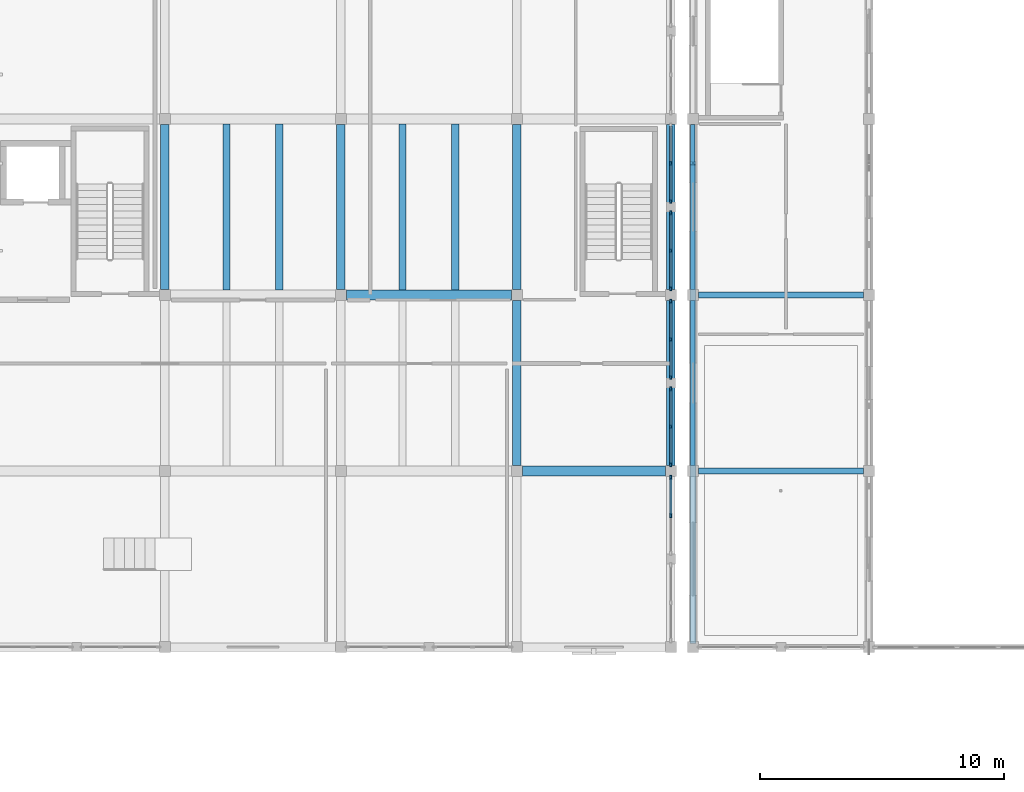
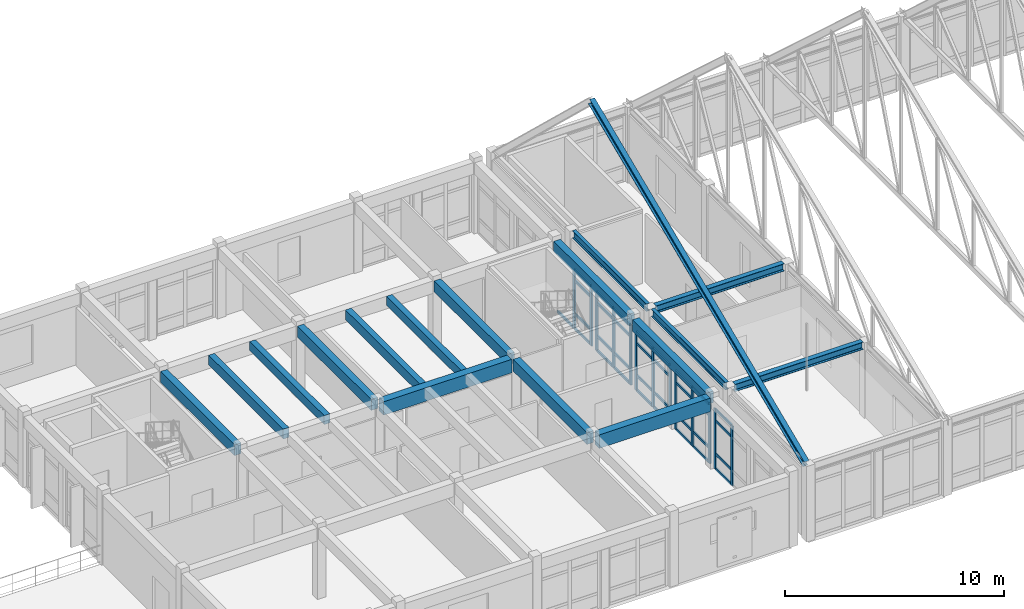
# One storey, part 16 of 136: 47 members, 16 beams, 5 elements without a shape of their own.
"""IFC4 building model written with IfcOpenShell, lengths in metres."""

from ifc_helpers import new_model, si_unit, direction, frame, origin, origin_2d, place, context, subcontext, project, spatial, rectangle, i_section, extrude, material, layer, layer_set, material_profile, profile_set, type_object, element, aggregate, save


model = new_model("IFC4")

# Units and contexts
model_context = context("Model", 3, precision=1e-05, world=origin(), true_north=direction((0.0, 1.0)))
body_context = subcontext(model_context, "Body", "Model", "MODEL_VIEW")
ifc_project = project(units=[si_unit("LENGTHUNIT", "METRE"), si_unit("AREAUNIT", "SQUARE_METRE"), si_unit("VOLUMEUNIT", "CUBIC_METRE"), si_unit("PLANEANGLEUNIT", "RADIAN"), si_unit("MASSUNIT", "GRAM", prefix="KILO")], contexts=[model_context])

# Site, building, storey
site_placement = place(None, origin())
site = spatial("IfcSite", under=ifc_project, at=site_placement, CompositionType="ELEMENT")
building_placement = place(site_placement, origin())
building = spatial("IfcBuilding", under=site, at=building_placement, Name="Koriwan Promenade Central Fire Station", CompositionType="ELEMENT")
storey_placement = place(building_placement, frame((0.0, 0.0, 5.39990234375)))
storey = spatial("IfcBuildingStorey", under=building, at=storey_placement, Name="L01", CompositionType="ELEMENT", Elevation=5.39990234375)

# Beams
ifc_material_1 = material(Name="Concrete C35/45", Category="concrete")
ifc_material_profile_1 = material_profile(ifc_material_1, rectangle(XDim=0.300048828125, YDim=0.5, at=origin_2d()), Name="RC-BM-300x500")
ifc_profile_set_1 = profile_set([ifc_material_profile_1], Name="Concrete C35/45")
beam_type_1 = type_object("IfcBeamType", Name="Beam_RC-BM-300x500", PredefinedType="JOIST", material=ifc_profile_set_1)
for number, where, z_axis, x_axis, name in (
    (1, (40.679931640625, 57.800048828125, 3.7001953125), (0.0, 1.0, 0.0), (-1.0, 0.0, 0.0), "V4 L01 secondary joist 457"),
    (2, (47.8798828125, 57.800048828125, 3.7001953125), (0.0, 1.0, 0.0), (-1.0, 0.0, 0.0), "V4 L01 secondary joist 459"),
):
    element("IfcBeam", number, at=place(storey_placement, frame(where, z_axis=z_axis, x_axis=x_axis)), inside=storey, type_object=beam_type_1, Name=name, PredefinedType="JOIST", context=body_context, shape_type="SweptSolid", body=[
        extrude(rectangle(XDim=0.300048828125, YDim=0.5, at=origin_2d()), origin(), (0.0, 0.0, 1.0), 6.800048828125),
    ])
ifc_material_profile_2 = material_profile(ifc_material_1, rectangle(XDim=0.300048828125, YDim=0.550048828125, at=origin_2d()), Name="RC-BM-300x550")
ifc_profile_set_2 = profile_set([ifc_material_profile_2], Name="Concrete C35/45")
beam_type_2 = type_object("IfcBeamType", Name="Beam_RC-BM-300x550", PredefinedType="JOIST", material=ifc_profile_set_2)
for number, where, z_axis, x_axis, name in (
    (3, (38.52001953125, 57.800048828125, 3.675048828125), (0.0, 1.0, 0.0), (-1.0, 0.0, 0.0), "V4 L01 secondary joist 456"),
    (4, (45.719970703125, 57.800048828125, 3.675048828125), (0.0, 1.0, 0.0), (-1.0, 0.0, 0.0), "V4 L01 secondary joist 458"),
):
    element("IfcBeam", number, at=place(storey_placement, frame(where, z_axis=z_axis, x_axis=x_axis)), inside=storey, type_object=beam_type_2, Name=name, PredefinedType="JOIST", context=body_context, shape_type="SweptSolid", body=[
        extrude(rectangle(XDim=0.300048828125, YDim=0.550048828125, at=origin_2d()), origin(), (0.0, 0.0, 1.0), 6.800048828125),
    ])
ifc_material_profile_3 = material_profile(ifc_material_1, rectangle(XDim=0.35009765625, YDim=0.60009765625, at=origin_2d()), Name="RC-BM-350x600")
ifc_profile_set_3 = profile_set([ifc_material_profile_3], Name="Concrete C35/45")
beam_type_3 = type_object("IfcBeamType", Name="Beam_RC-BM-350x600", PredefinedType="BEAM", material=ifc_profile_set_3)
for number, where, z_axis, x_axis, name in (
    (5, (36.0, 57.824951171875, 3.650146484375), (0.0, 1.0, 0.0), (-1.0, 0.0, 0.0), "V4 L01 girder Y-438"),
    (6, (43.199951171875, 57.824951171875, 3.650146484375), (0.0, 1.0, 0.0), (-1.0, 0.0, 0.0), "V4 L01 girder Y-442"),
    (7, (50.39990234375, 57.824951171875, 3.650146484375), (0.0, 1.0, 0.0), (-1.0, 0.0, 0.0), "V4 L01 girder Y-446"),
    (8, (56.699951171875, 57.824951171875, 3.650146484375), (0.0, 1.0, 0.0), (-1.0, 0.0, 0.0), "V4 L01 girder Y-450"),
):
    element("IfcBeam", number, at=place(storey_placement, frame(where, z_axis=z_axis, x_axis=x_axis)), inside=storey, type_object=beam_type_3, Name=name, PredefinedType="BEAM", context=body_context, shape_type="SweptSolid", body=[
        extrude(rectangle(XDim=0.35009765625, YDim=0.60009765625, at=origin_2d()), origin(), (0.0, 0.0, 1.0), 6.75),
    ])
ifc_material_profile_4 = material_profile(ifc_material_1, rectangle(XDim=0.35009765625, YDim=0.64990234375, at=origin_2d()), Name="RC-BM-350x650")
ifc_profile_set_4 = profile_set([ifc_material_profile_4], Name="Concrete C35/45")
beam_type_4 = type_object("IfcBeamType", Name="Beam_RC-BM-350x650", PredefinedType="BEAM", material=ifc_profile_set_4)
for number, where, z_axis, x_axis, name in (
    (9, (50.39990234375, 50.625, 3.625), (0.0, 1.0, 0.0), (-1.0, 0.0, 0.0), "V4 L01 girder Y-445"),
    (10, (56.699951171875, 50.625, 3.625), (0.0, 1.0, 0.0), (-1.0, 0.0, 0.0), "V4 L01 girder Y-449"),
):
    element("IfcBeam", number, at=place(storey_placement, frame(where, z_axis=z_axis, x_axis=x_axis)), inside=storey, type_object=beam_type_4, Name=name, PredefinedType="BEAM", context=body_context, shape_type="SweptSolid", body=[
        extrude(rectangle(XDim=0.35009765625, YDim=0.64990234375, at=origin_2d()), origin(), (0.0, 0.0, 1.0), 6.75),
    ])
ifc_material_profile_5 = material_profile(ifc_material_1, rectangle(XDim=0.39990234375, YDim=0.75, at=origin_2d()), Name="RC-BM-400x750")
ifc_profile_set_5 = profile_set([ifc_material_profile_5], Name="Concrete C35/45")
beam_type_5 = type_object("IfcBeamType", Name="Beam_RC-BM-400x750", PredefinedType="BEAM", material=ifc_profile_set_5)
beam_1_placement = place(storey_placement, frame((50.625, 50.39990234375, 3.5751953125), z_axis=(1.0, 0.0, 0.0), x_axis=(0.0, 1.0, 0.0)))
element("IfcBeam", 11, at=beam_1_placement, inside=storey, type_object=beam_type_5, Name="V4 L01 girder X-421", PredefinedType="BEAM", context=body_context, shape_type="SweptSolid", body=[
    extrude(rectangle(XDim=0.39990234375, YDim=0.75, at=origin_2d()), origin(), (0.0, 0.0, 1.0), 5.85009765625),
])
beam_2_placement = place(storey_placement, frame((43.425048828125, 57.60009765625, 3.5751953125), z_axis=(1.0, 0.0, 0.0), x_axis=(0.0, 1.0, 0.0)))
element("IfcBeam", 12, at=beam_2_placement, inside=storey, type_object=beam_type_5, Name="V4 L01 girder X-423", PredefinedType="BEAM", context=body_context, shape_type="SweptSolid", body=[
    extrude(rectangle(XDim=0.39990234375, YDim=0.75, at=origin_2d()), origin(), (0.0, 0.0, 1.0), 6.75),
])

# Curtain wall, members
ifc_material_2 = material(Name="Aluminium EN AW-6063-T6 and low-E glazing", Category="aluminium")
ifc_layer_1 = layer(ifc_material_2, 0.159912109375, Name="Aluminium EN AW-6063-T6 and low-E glazing")
ifc_layer_set_1 = layer_set([ifc_layer_1], Name="Aluminium EN AW-6063-T6 and low-E glazing")
curtain_wall_type_1 = type_object("IfcCurtainWallType", Name="CurtainWall_45_317x334", PredefinedType="USERDEFINED", material=ifc_layer_set_1)
curtain_wall_1_placement = place(storey_placement, origin())
curtain_wall_1 = element("IfcCurtainWall", 13, at=curtain_wall_1_placement, inside=storey, type_object=curtain_wall_type_1, Name="V4 L01 unitised curtain wall 110", ObjectType="UNITISED CURTAIN WALL", PredefinedType="USERDEFINED")
ifc_material_3 = material(Name="Aluminium EN AW-6063-T6", Category="aluminium")
ifc_material_profile_6 = material_profile(ifc_material_3, rectangle(XDim=0.074951171875, YDim=0.179931640625, at=origin_2d()), Name="ALU-MUL-75x180")
ifc_profile_set_6 = profile_set([ifc_material_profile_6], Name="Aluminium EN AW-6063-T6")
member_type_1 = type_object("IfcMemberType", Name="CWMullion_ALU-MUL-75x180", PredefinedType="MULLION", material=ifc_profile_set_6)
member_1_placement = place(storey_placement, frame((56.699951171875, 48.58740234375, 0.0), z_axis=(0.0, 0.0, 1.0), x_axis=(-1.0, 0.0, 0.0)))
member_1 = element("IfcMember", 14, at=member_1_placement, type_object=member_type_1, Name="CW-45 mullion 2", PredefinedType="MULLION", context=body_context, shape_type="SweptSolid", body=[
    extrude(rectangle(XDim=0.074951171875, YDim=0.179931640625, at=origin_2d()), origin(), (0.0, 0.0, 1.0), 3.340087890625),
])
member_2_placement = place(storey_placement, frame((56.699951171875, 50.137451171875, 0.0), z_axis=(0.0, 0.0, 1.0), x_axis=(-1.0, 0.0, 0.0)))
member_2 = element("IfcMember", 15, at=member_2_placement, type_object=member_type_1, Name="CW-45 mullion 3", PredefinedType="MULLION", context=body_context, shape_type="SweptSolid", body=[
    extrude(rectangle(XDim=0.074951171875, YDim=0.179931640625, at=origin_2d()), origin(), (0.0, 0.0, 1.0), 3.340087890625),
])

ifc_layer_2 = layer(ifc_material_2, 0.159912109375, Name="Aluminium EN AW-6063-T6 and low-E glazing")
ifc_layer_set_2 = layer_set([ifc_layer_2], Name="Aluminium EN AW-6063-T6 and low-E glazing")
curtain_wall_type_2 = type_object("IfcCurtainWallType", Name="CurtainWall_46_317x329", PredefinedType="USERDEFINED", material=ifc_layer_set_2)
curtain_wall_2_placement = place(storey_placement, origin())
curtain_wall_2 = element("IfcCurtainWall", 16, at=curtain_wall_2_placement, inside=storey, type_object=curtain_wall_type_2, Name="V4 L01 unitised curtain wall 111", ObjectType="UNITISED CURTAIN WALL", PredefinedType="USERDEFINED")
member_3_placement = place(storey_placement, frame((56.699951171875, 50.66259765625, 0.0), z_axis=(0.0, 0.0, 1.0), x_axis=(-1.0, 0.0, 0.0)))
member_3 = element("IfcMember", 17, at=member_3_placement, type_object=member_type_1, Name="CW-46 mullion 1", PredefinedType="MULLION", context=body_context, shape_type="SweptSolid", body=[
    extrude(rectangle(XDim=0.074951171875, YDim=0.179931640625, at=origin_2d()), origin(), (0.0, 0.0, 1.0), 3.2900390625),
])
member_4_placement = place(storey_placement, frame((56.699951171875, 52.21240234375, 0.0), z_axis=(0.0, 0.0, 1.0), x_axis=(-1.0, 0.0, 0.0)))
member_4 = element("IfcMember", 18, at=member_4_placement, type_object=member_type_1, Name="CW-46 mullion 2", PredefinedType="MULLION", context=body_context, shape_type="SweptSolid", body=[
    extrude(rectangle(XDim=0.074951171875, YDim=0.179931640625, at=origin_2d()), origin(), (0.0, 0.0, 1.0), 3.2900390625),
])
member_5_placement = place(storey_placement, frame((56.699951171875, 53.762451171875, 0.0), z_axis=(0.0, 0.0, 1.0), x_axis=(-1.0, 0.0, 0.0)))
member_5 = element("IfcMember", 19, at=member_5_placement, type_object=member_type_1, Name="CW-46 mullion 3", PredefinedType="MULLION", context=body_context, shape_type="SweptSolid", body=[
    extrude(rectangle(XDim=0.074951171875, YDim=0.179931640625, at=origin_2d()), origin(), (0.0, 0.0, 1.0), 3.2900390625),
])

curtain_wall_3_placement = place(storey_placement, origin())
curtain_wall_3 = element("IfcCurtainWall", 20, at=curtain_wall_3_placement, inside=storey, type_object=curtain_wall_type_2, Name="V4 L01 unitised curtain wall 112", ObjectType="UNITISED CURTAIN WALL", PredefinedType="USERDEFINED")
member_6_placement = place(storey_placement, frame((56.699951171875, 54.237548828125, 0.0), z_axis=(0.0, 0.0, 1.0), x_axis=(-1.0, 0.0, 0.0)))
member_6 = element("IfcMember", 21, at=member_6_placement, type_object=member_type_1, Name="CW-46 mullion 1", PredefinedType="MULLION", context=body_context, shape_type="SweptSolid", body=[
    extrude(rectangle(XDim=0.074951171875, YDim=0.179931640625, at=origin_2d()), origin(), (0.0, 0.0, 1.0), 3.2900390625),
])
member_7_placement = place(storey_placement, frame((56.699951171875, 55.78759765625, 0.0), z_axis=(0.0, 0.0, 1.0), x_axis=(-1.0, 0.0, 0.0)))
member_7 = element("IfcMember", 22, at=member_7_placement, type_object=member_type_1, Name="CW-46 mullion 2", PredefinedType="MULLION", context=body_context, shape_type="SweptSolid", body=[
    extrude(rectangle(XDim=0.074951171875, YDim=0.179931640625, at=origin_2d()), origin(), (0.0, 0.0, 1.0), 3.2900390625),
])
member_8_placement = place(storey_placement, frame((56.699951171875, 57.33740234375, 0.0), z_axis=(0.0, 0.0, 1.0), x_axis=(-1.0, 0.0, 0.0)))
member_8 = element("IfcMember", 23, at=member_8_placement, type_object=member_type_1, Name="CW-46 mullion 3", PredefinedType="MULLION", context=body_context, shape_type="SweptSolid", body=[
    extrude(rectangle(XDim=0.074951171875, YDim=0.179931640625, at=origin_2d()), origin(), (0.0, 0.0, 1.0), 3.2900390625),
])

curtain_wall_4_placement = place(storey_placement, origin())
curtain_wall_4 = element("IfcCurtainWall", 24, at=curtain_wall_4_placement, inside=storey, type_object=curtain_wall_type_1, Name="V4 L01 unitised curtain wall 113", ObjectType="UNITISED CURTAIN WALL", PredefinedType="USERDEFINED")
member_9_placement = place(storey_placement, frame((56.699951171875, 57.862548828125, 0.0), z_axis=(0.0, 0.0, 1.0), x_axis=(-1.0, 0.0, 0.0)))
member_9 = element("IfcMember", 25, at=member_9_placement, type_object=member_type_1, Name="CW-45 mullion 1", PredefinedType="MULLION", context=body_context, shape_type="SweptSolid", body=[
    extrude(rectangle(XDim=0.074951171875, YDim=0.179931640625, at=origin_2d()), origin(), (0.0, 0.0, 1.0), 3.340087890625),
])
member_10_placement = place(storey_placement, frame((56.699951171875, 59.41259765625, 0.0), z_axis=(0.0, 0.0, 1.0), x_axis=(-1.0, 0.0, 0.0)))
member_10 = element("IfcMember", 26, at=member_10_placement, type_object=member_type_1, Name="CW-45 mullion 2", PredefinedType="MULLION", context=body_context, shape_type="SweptSolid", body=[
    extrude(rectangle(XDim=0.074951171875, YDim=0.179931640625, at=origin_2d()), origin(), (0.0, 0.0, 1.0), 3.340087890625),
])
member_11_placement = place(storey_placement, frame((56.699951171875, 60.96240234375, 0.0), z_axis=(0.0, 0.0, 1.0), x_axis=(-1.0, 0.0, 0.0)))
member_11 = element("IfcMember", 27, at=member_11_placement, type_object=member_type_1, Name="CW-45 mullion 3", PredefinedType="MULLION", context=body_context, shape_type="SweptSolid", body=[
    extrude(rectangle(XDim=0.074951171875, YDim=0.179931640625, at=origin_2d()), origin(), (0.0, 0.0, 1.0), 3.340087890625),
])

ifc_layer_3 = layer(ifc_material_2, 0.159912109375, Name="Aluminium EN AW-6063-T6 and low-E glazing")
ifc_layer_set_3 = layer_set([ifc_layer_3], Name="Aluminium EN AW-6063-T6 and low-E glazing")
curtain_wall_type_3 = type_object("IfcCurtainWallType", Name="CurtainWall_44_318x334", PredefinedType="USERDEFINED", material=ifc_layer_set_3)
curtain_wall_5_placement = place(storey_placement, origin())
curtain_wall_5 = element("IfcCurtainWall", 28, at=curtain_wall_5_placement, inside=storey, type_object=curtain_wall_type_3, Name="V4 L01 unitised curtain wall 114", ObjectType="UNITISED CURTAIN WALL", PredefinedType="USERDEFINED")
member_12_placement = place(storey_placement, frame((56.699951171875, 61.4375, 0.0), z_axis=(0.0, 0.0, 1.0), x_axis=(-1.0, 0.0, 0.0)))
member_12 = element("IfcMember", 29, at=member_12_placement, type_object=member_type_1, Name="CW-44 mullion 1", PredefinedType="MULLION", context=body_context, shape_type="SweptSolid", body=[
    extrude(rectangle(XDim=0.074951171875, YDim=0.179931640625, at=origin_2d()), origin(), (0.0, 0.0, 1.0), 3.340087890625),
])
member_13_placement = place(storey_placement, frame((56.699951171875, 62.987548828125, 0.0), z_axis=(0.0, 0.0, 1.0), x_axis=(-1.0, 0.0, 0.0)))
member_13 = element("IfcMember", 30, at=member_13_placement, type_object=member_type_1, Name="CW-44 mullion 2", PredefinedType="MULLION", context=body_context, shape_type="SweptSolid", body=[
    extrude(rectangle(XDim=0.074951171875, YDim=0.179931640625, at=origin_2d()), origin(), (0.0, 0.0, 1.0), 3.340087890625),
])

# Member
ifc_material_profile_7 = material_profile(ifc_material_3, rectangle(XDim=0.074951171875, YDim=0.139892578125, at=origin_2d()), Name="ALU-TRN-75x140")
ifc_profile_set_7 = profile_set([ifc_material_profile_7], Name="Aluminium EN AW-6063-T6")
member_type_2 = type_object("IfcMemberType", Name="CWTransom_ALU-TRN-75x140", PredefinedType="USERDEFINED", material=ifc_profile_set_7)
member_14_placement = place(storey_placement, frame((56.699951171875, 48.625, 0.03759765625), z_axis=(0.0, 1.0, 0.0), x_axis=(-1.0, 0.0, 0.0)))
member_14 = element("IfcMember", 31, at=member_14_placement, type_object=member_type_2, Name="CW-45 transom 2.1", ObjectType="TRANSOM", PredefinedType="USERDEFINED", context=body_context, shape_type="SweptSolid", body=[
    extrude(rectangle(XDim=0.074951171875, YDim=0.139892578125, at=origin_2d()), origin(), (0.0, 0.0, 1.0), 1.47509765625),
])

member_15_placement = place(storey_placement, frame((56.699951171875, 48.625, 0.85009765625), z_axis=(0.0, 1.0, 0.0), x_axis=(-1.0, 0.0, 0.0)))
member_15 = element("IfcMember", 32, at=member_15_placement, type_object=member_type_2, Name="CW-45 transom 2.2", ObjectType="TRANSOM", PredefinedType="USERDEFINED", context=body_context, shape_type="SweptSolid", body=[
    extrude(rectangle(XDim=0.074951171875, YDim=0.139892578125, at=origin_2d()), origin(), (0.0, 0.0, 1.0), 1.47509765625),
])

member_16_placement = place(storey_placement, frame((56.699951171875, 48.625, 2.690185546875), z_axis=(0.0, 1.0, 0.0), x_axis=(-1.0, 0.0, 0.0)))
member_16 = element("IfcMember", 33, at=member_16_placement, type_object=member_type_2, Name="CW-45 transom 2.3", ObjectType="TRANSOM", PredefinedType="USERDEFINED", context=body_context, shape_type="SweptSolid", body=[
    extrude(rectangle(XDim=0.074951171875, YDim=0.139892578125, at=origin_2d()), origin(), (0.0, 0.0, 1.0), 1.47509765625),
])

member_17_placement = place(storey_placement, frame((56.699951171875, 48.625, 3.302490234375), z_axis=(0.0, 1.0, 0.0), x_axis=(-1.0, 0.0, 0.0)))
member_17 = element("IfcMember", 34, at=member_17_placement, type_object=member_type_2, Name="CW-45 transom 2.4", ObjectType="TRANSOM", PredefinedType="USERDEFINED", context=body_context, shape_type="SweptSolid", body=[
    extrude(rectangle(XDim=0.074951171875, YDim=0.139892578125, at=origin_2d()), origin(), (0.0, 0.0, 1.0), 1.47509765625),
])

aggregate(curtain_wall_1, [member_1, member_2, member_14, member_15, member_16, member_17])

member_18_placement = place(storey_placement, frame((56.699951171875, 50.699951171875, 0.03759765625), z_axis=(0.0, 1.0, 0.0), x_axis=(-1.0, 0.0, 0.0)))
member_18 = element("IfcMember", 35, at=member_18_placement, type_object=member_type_2, Name="CW-46 transom 1.1", ObjectType="TRANSOM", PredefinedType="USERDEFINED", context=body_context, shape_type="SweptSolid", body=[
    extrude(rectangle(XDim=0.074951171875, YDim=0.139892578125, at=origin_2d()), origin(), (0.0, 0.0, 1.0), 1.47509765625),
])

member_19_placement = place(storey_placement, frame((56.699951171875, 50.699951171875, 0.85009765625), z_axis=(0.0, 1.0, 0.0), x_axis=(-1.0, 0.0, 0.0)))
member_19 = element("IfcMember", 36, at=member_19_placement, type_object=member_type_2, Name="CW-46 transom 1.2", ObjectType="TRANSOM", PredefinedType="USERDEFINED", context=body_context, shape_type="SweptSolid", body=[
    extrude(rectangle(XDim=0.074951171875, YDim=0.139892578125, at=origin_2d()), origin(), (0.0, 0.0, 1.0), 1.47509765625),
])

member_20_placement = place(storey_placement, frame((56.699951171875, 50.699951171875, 2.64013671875), z_axis=(0.0, 1.0, 0.0), x_axis=(-1.0, 0.0, 0.0)))
member_20 = element("IfcMember", 37, at=member_20_placement, type_object=member_type_2, Name="CW-46 transom 1.3", ObjectType="TRANSOM", PredefinedType="USERDEFINED", context=body_context, shape_type="SweptSolid", body=[
    extrude(rectangle(XDim=0.074951171875, YDim=0.139892578125, at=origin_2d()), origin(), (0.0, 0.0, 1.0), 1.47509765625),
])

member_21_placement = place(storey_placement, frame((56.699951171875, 50.699951171875, 3.252685546875), z_axis=(0.0, 1.0, 0.0), x_axis=(-1.0, 0.0, 0.0)))
member_21 = element("IfcMember", 38, at=member_21_placement, type_object=member_type_2, Name="CW-46 transom 1.4", ObjectType="TRANSOM", PredefinedType="USERDEFINED", context=body_context, shape_type="SweptSolid", body=[
    extrude(rectangle(XDim=0.074951171875, YDim=0.139892578125, at=origin_2d()), origin(), (0.0, 0.0, 1.0), 1.47509765625),
])

member_22_placement = place(storey_placement, frame((56.699951171875, 52.25, 0.03759765625), z_axis=(0.0, 1.0, 0.0), x_axis=(-1.0, 0.0, 0.0)))
member_22 = element("IfcMember", 39, at=member_22_placement, type_object=member_type_2, Name="CW-46 transom 2.1", ObjectType="TRANSOM", PredefinedType="USERDEFINED", context=body_context, shape_type="SweptSolid", body=[
    extrude(rectangle(XDim=0.074951171875, YDim=0.139892578125, at=origin_2d()), origin(), (0.0, 0.0, 1.0), 1.47509765625),
])

member_23_placement = place(storey_placement, frame((56.699951171875, 52.25, 0.85009765625), z_axis=(0.0, 1.0, 0.0), x_axis=(-1.0, 0.0, 0.0)))
member_23 = element("IfcMember", 40, at=member_23_placement, type_object=member_type_2, Name="CW-46 transom 2.2", ObjectType="TRANSOM", PredefinedType="USERDEFINED", context=body_context, shape_type="SweptSolid", body=[
    extrude(rectangle(XDim=0.074951171875, YDim=0.139892578125, at=origin_2d()), origin(), (0.0, 0.0, 1.0), 1.47509765625),
])

member_24_placement = place(storey_placement, frame((56.699951171875, 52.25, 2.64013671875), z_axis=(0.0, 1.0, 0.0), x_axis=(-1.0, 0.0, 0.0)))
member_24 = element("IfcMember", 41, at=member_24_placement, type_object=member_type_2, Name="CW-46 transom 2.3", ObjectType="TRANSOM", PredefinedType="USERDEFINED", context=body_context, shape_type="SweptSolid", body=[
    extrude(rectangle(XDim=0.074951171875, YDim=0.139892578125, at=origin_2d()), origin(), (0.0, 0.0, 1.0), 1.47509765625),
])

member_25_placement = place(storey_placement, frame((56.699951171875, 52.25, 3.252685546875), z_axis=(0.0, 1.0, 0.0), x_axis=(-1.0, 0.0, 0.0)))
member_25 = element("IfcMember", 42, at=member_25_placement, type_object=member_type_2, Name="CW-46 transom 2.4", ObjectType="TRANSOM", PredefinedType="USERDEFINED", context=body_context, shape_type="SweptSolid", body=[
    extrude(rectangle(XDim=0.074951171875, YDim=0.139892578125, at=origin_2d()), origin(), (0.0, 0.0, 1.0), 1.47509765625),
])

aggregate(curtain_wall_2, [member_3, member_4, member_5, member_18, member_19, member_20, member_21, member_22, member_23, member_24, member_25])

member_26_placement = place(storey_placement, frame((56.699951171875, 54.27490234375, 0.03759765625), z_axis=(0.0, 1.0, 0.0), x_axis=(-1.0, 0.0, 0.0)))
member_26 = element("IfcMember", 43, at=member_26_placement, type_object=member_type_2, Name="CW-46 transom 1.1", ObjectType="TRANSOM", PredefinedType="USERDEFINED", context=body_context, shape_type="SweptSolid", body=[
    extrude(rectangle(XDim=0.074951171875, YDim=0.139892578125, at=origin_2d()), origin(), (0.0, 0.0, 1.0), 1.47509765625),
])

member_27_placement = place(storey_placement, frame((56.699951171875, 54.27490234375, 0.85009765625), z_axis=(0.0, 1.0, 0.0), x_axis=(-1.0, 0.0, 0.0)))
member_27 = element("IfcMember", 44, at=member_27_placement, type_object=member_type_2, Name="CW-46 transom 1.2", ObjectType="TRANSOM", PredefinedType="USERDEFINED", context=body_context, shape_type="SweptSolid", body=[
    extrude(rectangle(XDim=0.074951171875, YDim=0.139892578125, at=origin_2d()), origin(), (0.0, 0.0, 1.0), 1.47509765625),
])

member_28_placement = place(storey_placement, frame((56.699951171875, 54.27490234375, 2.64013671875), z_axis=(0.0, 1.0, 0.0), x_axis=(-1.0, 0.0, 0.0)))
member_28 = element("IfcMember", 45, at=member_28_placement, type_object=member_type_2, Name="CW-46 transom 1.3", ObjectType="TRANSOM", PredefinedType="USERDEFINED", context=body_context, shape_type="SweptSolid", body=[
    extrude(rectangle(XDim=0.074951171875, YDim=0.139892578125, at=origin_2d()), origin(), (0.0, 0.0, 1.0), 1.47509765625),
])

member_29_placement = place(storey_placement, frame((56.699951171875, 54.27490234375, 3.252685546875), z_axis=(0.0, 1.0, 0.0), x_axis=(-1.0, 0.0, 0.0)))
member_29 = element("IfcMember", 46, at=member_29_placement, type_object=member_type_2, Name="CW-46 transom 1.4", ObjectType="TRANSOM", PredefinedType="USERDEFINED", context=body_context, shape_type="SweptSolid", body=[
    extrude(rectangle(XDim=0.074951171875, YDim=0.139892578125, at=origin_2d()), origin(), (0.0, 0.0, 1.0), 1.47509765625),
])

member_30_placement = place(storey_placement, frame((56.699951171875, 55.824951171875, 0.03759765625), z_axis=(0.0, 1.0, 0.0), x_axis=(-1.0, 0.0, 0.0)))
member_30 = element("IfcMember", 47, at=member_30_placement, type_object=member_type_2, Name="CW-46 transom 2.1", ObjectType="TRANSOM", PredefinedType="USERDEFINED", context=body_context, shape_type="SweptSolid", body=[
    extrude(rectangle(XDim=0.074951171875, YDim=0.139892578125, at=origin_2d()), origin(), (0.0, 0.0, 1.0), 1.47509765625),
])

member_31_placement = place(storey_placement, frame((56.699951171875, 55.824951171875, 0.85009765625), z_axis=(0.0, 1.0, 0.0), x_axis=(-1.0, 0.0, 0.0)))
member_31 = element("IfcMember", 48, at=member_31_placement, type_object=member_type_2, Name="CW-46 transom 2.2", ObjectType="TRANSOM", PredefinedType="USERDEFINED", context=body_context, shape_type="SweptSolid", body=[
    extrude(rectangle(XDim=0.074951171875, YDim=0.139892578125, at=origin_2d()), origin(), (0.0, 0.0, 1.0), 1.47509765625),
])

member_32_placement = place(storey_placement, frame((56.699951171875, 55.824951171875, 2.64013671875), z_axis=(0.0, 1.0, 0.0), x_axis=(-1.0, 0.0, 0.0)))
member_32 = element("IfcMember", 49, at=member_32_placement, type_object=member_type_2, Name="CW-46 transom 2.3", ObjectType="TRANSOM", PredefinedType="USERDEFINED", context=body_context, shape_type="SweptSolid", body=[
    extrude(rectangle(XDim=0.074951171875, YDim=0.139892578125, at=origin_2d()), origin(), (0.0, 0.0, 1.0), 1.47509765625),
])

member_33_placement = place(storey_placement, frame((56.699951171875, 55.824951171875, 3.252685546875), z_axis=(0.0, 1.0, 0.0), x_axis=(-1.0, 0.0, 0.0)))
member_33 = element("IfcMember", 50, at=member_33_placement, type_object=member_type_2, Name="CW-46 transom 2.4", ObjectType="TRANSOM", PredefinedType="USERDEFINED", context=body_context, shape_type="SweptSolid", body=[
    extrude(rectangle(XDim=0.074951171875, YDim=0.139892578125, at=origin_2d()), origin(), (0.0, 0.0, 1.0), 1.47509765625),
])

aggregate(curtain_wall_3, [member_6, member_7, member_8, member_26, member_27, member_28, member_29, member_30, member_31, member_32, member_33])

member_34_placement = place(storey_placement, frame((56.699951171875, 57.89990234375, 0.03759765625), z_axis=(0.0, 1.0, 0.0), x_axis=(-1.0, 0.0, 0.0)))
member_34 = element("IfcMember", 51, at=member_34_placement, type_object=member_type_2, Name="CW-45 transom 1.1", ObjectType="TRANSOM", PredefinedType="USERDEFINED", context=body_context, shape_type="SweptSolid", body=[
    extrude(rectangle(XDim=0.074951171875, YDim=0.139892578125, at=origin_2d()), origin(), (0.0, 0.0, 1.0), 1.47509765625),
])

member_35_placement = place(storey_placement, frame((56.699951171875, 57.89990234375, 0.85009765625), z_axis=(0.0, 1.0, 0.0), x_axis=(-1.0, 0.0, 0.0)))
member_35 = element("IfcMember", 52, at=member_35_placement, type_object=member_type_2, Name="CW-45 transom 1.2", ObjectType="TRANSOM", PredefinedType="USERDEFINED", context=body_context, shape_type="SweptSolid", body=[
    extrude(rectangle(XDim=0.074951171875, YDim=0.139892578125, at=origin_2d()), origin(), (0.0, 0.0, 1.0), 1.47509765625),
])

member_36_placement = place(storey_placement, frame((56.699951171875, 57.89990234375, 2.690185546875), z_axis=(0.0, 1.0, 0.0), x_axis=(-1.0, 0.0, 0.0)))
member_36 = element("IfcMember", 53, at=member_36_placement, type_object=member_type_2, Name="CW-45 transom 1.3", ObjectType="TRANSOM", PredefinedType="USERDEFINED", context=body_context, shape_type="SweptSolid", body=[
    extrude(rectangle(XDim=0.074951171875, YDim=0.139892578125, at=origin_2d()), origin(), (0.0, 0.0, 1.0), 1.47509765625),
])

member_37_placement = place(storey_placement, frame((56.699951171875, 57.89990234375, 3.302490234375), z_axis=(0.0, 1.0, 0.0), x_axis=(-1.0, 0.0, 0.0)))
member_37 = element("IfcMember", 54, at=member_37_placement, type_object=member_type_2, Name="CW-45 transom 1.4", ObjectType="TRANSOM", PredefinedType="USERDEFINED", context=body_context, shape_type="SweptSolid", body=[
    extrude(rectangle(XDim=0.074951171875, YDim=0.139892578125, at=origin_2d()), origin(), (0.0, 0.0, 1.0), 1.47509765625),
])

member_38_placement = place(storey_placement, frame((56.699951171875, 59.449951171875, 0.03759765625), z_axis=(0.0, 1.0, 0.0), x_axis=(-1.0, 0.0, 0.0)))
member_38 = element("IfcMember", 55, at=member_38_placement, type_object=member_type_2, Name="CW-45 transom 2.1", ObjectType="TRANSOM", PredefinedType="USERDEFINED", context=body_context, shape_type="SweptSolid", body=[
    extrude(rectangle(XDim=0.074951171875, YDim=0.139892578125, at=origin_2d()), origin(), (0.0, 0.0, 1.0), 1.47509765625),
])

member_39_placement = place(storey_placement, frame((56.699951171875, 59.449951171875, 0.85009765625), z_axis=(0.0, 1.0, 0.0), x_axis=(-1.0, 0.0, 0.0)))
member_39 = element("IfcMember", 56, at=member_39_placement, type_object=member_type_2, Name="CW-45 transom 2.2", ObjectType="TRANSOM", PredefinedType="USERDEFINED", context=body_context, shape_type="SweptSolid", body=[
    extrude(rectangle(XDim=0.074951171875, YDim=0.139892578125, at=origin_2d()), origin(), (0.0, 0.0, 1.0), 1.47509765625),
])

member_40_placement = place(storey_placement, frame((56.699951171875, 59.449951171875, 2.690185546875), z_axis=(0.0, 1.0, 0.0), x_axis=(-1.0, 0.0, 0.0)))
member_40 = element("IfcMember", 57, at=member_40_placement, type_object=member_type_2, Name="CW-45 transom 2.3", ObjectType="TRANSOM", PredefinedType="USERDEFINED", context=body_context, shape_type="SweptSolid", body=[
    extrude(rectangle(XDim=0.074951171875, YDim=0.139892578125, at=origin_2d()), origin(), (0.0, 0.0, 1.0), 1.47509765625),
])

member_41_placement = place(storey_placement, frame((56.699951171875, 59.449951171875, 3.302490234375), z_axis=(0.0, 1.0, 0.0), x_axis=(-1.0, 0.0, 0.0)))
member_41 = element("IfcMember", 58, at=member_41_placement, type_object=member_type_2, Name="CW-45 transom 2.4", ObjectType="TRANSOM", PredefinedType="USERDEFINED", context=body_context, shape_type="SweptSolid", body=[
    extrude(rectangle(XDim=0.074951171875, YDim=0.139892578125, at=origin_2d()), origin(), (0.0, 0.0, 1.0), 1.47509765625),
])

aggregate(curtain_wall_4, [member_9, member_10, member_11, member_34, member_35, member_36, member_37, member_38, member_39, member_40, member_41])

member_42_placement = place(storey_placement, frame((56.699951171875, 61.47509765625, 0.03759765625), z_axis=(0.0, 1.0, 0.0), x_axis=(-1.0, 0.0, 0.0)))
member_42 = element("IfcMember", 59, at=member_42_placement, type_object=member_type_2, Name="CW-44 transom 1.1", ObjectType="TRANSOM", PredefinedType="USERDEFINED", context=body_context, shape_type="SweptSolid", body=[
    extrude(rectangle(XDim=0.074951171875, YDim=0.139892578125, at=origin_2d()), origin(), (0.0, 0.0, 1.0), 1.474853515625),
])

member_43_placement = place(storey_placement, frame((56.699951171875, 61.47509765625, 0.85009765625), z_axis=(0.0, 1.0, 0.0), x_axis=(-1.0, 0.0, 0.0)))
member_43 = element("IfcMember", 60, at=member_43_placement, type_object=member_type_2, Name="CW-44 transom 1.2", ObjectType="TRANSOM", PredefinedType="USERDEFINED", context=body_context, shape_type="SweptSolid", body=[
    extrude(rectangle(XDim=0.074951171875, YDim=0.139892578125, at=origin_2d()), origin(), (0.0, 0.0, 1.0), 1.474853515625),
])

member_44_placement = place(storey_placement, frame((56.699951171875, 61.47509765625, 2.690185546875), z_axis=(0.0, 1.0, 0.0), x_axis=(-1.0, 0.0, 0.0)))
member_44 = element("IfcMember", 61, at=member_44_placement, type_object=member_type_2, Name="CW-44 transom 1.3", ObjectType="TRANSOM", PredefinedType="USERDEFINED", context=body_context, shape_type="SweptSolid", body=[
    extrude(rectangle(XDim=0.074951171875, YDim=0.139892578125, at=origin_2d()), origin(), (0.0, 0.0, 1.0), 1.474853515625),
])

member_45_placement = place(storey_placement, frame((56.699951171875, 61.47509765625, 3.302490234375), z_axis=(0.0, 1.0, 0.0), x_axis=(-1.0, 0.0, 0.0)))
member_45 = element("IfcMember", 62, at=member_45_placement, type_object=member_type_2, Name="CW-44 transom 1.4", ObjectType="TRANSOM", PredefinedType="USERDEFINED", context=body_context, shape_type="SweptSolid", body=[
    extrude(rectangle(XDim=0.074951171875, YDim=0.139892578125, at=origin_2d()), origin(), (0.0, 0.0, 1.0), 1.474853515625),
])

member_46_placement = place(storey_placement, frame((56.699951171875, 63.02490234375, 0.03759765625), z_axis=(0.0, 1.0, 0.0), x_axis=(-1.0, 0.0, 0.0)))
member_46 = element("IfcMember", 63, at=member_46_placement, type_object=member_type_2, Name="CW-44 transom 2.1", ObjectType="TRANSOM", PredefinedType="USERDEFINED", context=body_context, shape_type="SweptSolid", body=[
    extrude(rectangle(XDim=0.074951171875, YDim=0.139892578125, at=origin_2d()), origin(), (0.0, 0.0, 1.0), 1.47509765625),
])

aggregate(curtain_wall_5, [member_12, member_13, member_42, member_43, member_44, member_45, member_46])

ifc_material_4 = material(Name="Steel ASTM A992 Grade 50", Category="steel")
ifc_material_profile_8 = material_profile(ifc_material_4, i_section(OverallWidth=0.257080078125, OverallDepth=0.363037109375, WebThickness=0.012939453125, FlangeThickness=0.021728515625, FilletRadius=0.014892578125, at=origin_2d()), Name="W360x122")
ifc_profile_set_8 = profile_set([ifc_material_profile_8], Name="Steel ASTM A992 Grade 50")
member_type_3 = type_object("IfcMemberType", Name="Member_CHORD_W360x122", PredefinedType="CHORD", material=ifc_profile_set_8)
member_47_placement = place(storey_placement, frame((57.60009765625, 43.419921875, 4.02001953125), z_axis=(0.0, 0.920186296185, 0.391480753439), x_axis=(-1.0, 0.0, 0.0)))
element("IfcMember", 64, at=member_47_placement, inside=storey, type_object=member_type_3, Name="V1 end portal south rafter (57.6)", PredefinedType="CHORD", context=body_context, shape_type="SweptSolid", body=[
    extrude(i_section(OverallWidth=0.257080078125, OverallDepth=0.363037109375, WebThickness=0.012939453125, FlangeThickness=0.021728515625, FilletRadius=0.014892578125, at=origin_2d()), origin(), (0.0, 0.0, 1.0), 21.2783203125),
])

# Beams
ifc_material_profile_9 = material_profile(ifc_material_4, i_section(OverallWidth=0.260009765625, OverallDepth=0.4150390625, WebThickness=0.010009765625, FlangeThickness=0.016845703125, FilletRadius=0.01611328125, at=origin_2d()), Name="W410x100")
ifc_profile_set_9 = profile_set([ifc_material_profile_9], Name="Steel ASTM A992 Grade 50")
beam_type_6 = type_object("IfcBeamType", Name="SteelBeam_W410x100", PredefinedType="BEAM", material=ifc_profile_set_9)
for number, where, z_axis, x_axis, name in (
    (65, (57.824951171875, 50.39990234375, 3.99267578125), (1.0, 0.0, 0.0), (0.0, 1.0, 0.0), "V1 L01 girder X-48"),
    (66, (57.824951171875, 57.60009765625, 3.99267578125), (1.0, 0.0, 0.0), (0.0, 1.0, 0.0), "V1 L01 girder X-50"),
):
    element("IfcBeam", number, at=place(storey_placement, frame(where, z_axis=z_axis, x_axis=x_axis)), inside=storey, type_object=beam_type_6, Name=name, PredefinedType="BEAM", context=body_context, shape_type="SweptSolid", body=[
        extrude(i_section(OverallWidth=0.260009765625, OverallDepth=0.4150390625, WebThickness=0.010009765625, FlangeThickness=0.016845703125, FilletRadius=0.01611328125, at=origin_2d()), origin(), (0.0, 0.0, 1.0), 6.75),
    ])
ifc_material_profile_10 = material_profile(ifc_material_4, i_section(OverallWidth=0.180908203125, OverallDepth=0.4169921875, WebThickness=0.010986328125, FlangeThickness=0.018310546875, FilletRadius=0.01611328125, at=origin_2d()), Name="W410x85")
ifc_profile_set_10 = profile_set([ifc_material_profile_10], Name="Steel ASTM A992 Grade 50")
beam_type_7 = type_object("IfcBeamType", Name="SteelBeam_W410x85", PredefinedType="BEAM", material=ifc_profile_set_10)
for number, where, z_axis, x_axis, name in (
    (67, (57.60009765625, 50.625, 3.99169921875), (0.0, 1.0, 0.0), (-1.0, 0.0, 0.0), "V1 L01 girder Y-63"),
    (68, (57.60009765625, 57.824951171875, 3.99169921875), (0.0, 1.0, 0.0), (-1.0, 0.0, 0.0), "V1 L01 girder Y-64"),
):
    element("IfcBeam", number, at=place(storey_placement, frame(where, z_axis=z_axis, x_axis=x_axis)), inside=storey, type_object=beam_type_7, Name=name, PredefinedType="BEAM", context=body_context, shape_type="SweptSolid", body=[
        extrude(i_section(OverallWidth=0.180908203125, OverallDepth=0.4169921875, WebThickness=0.010986328125, FlangeThickness=0.018310546875, FilletRadius=0.01611328125, at=origin_2d()), origin(), (0.0, 0.0, 1.0), 6.75),
    ])

save(model, "model.ifc")
